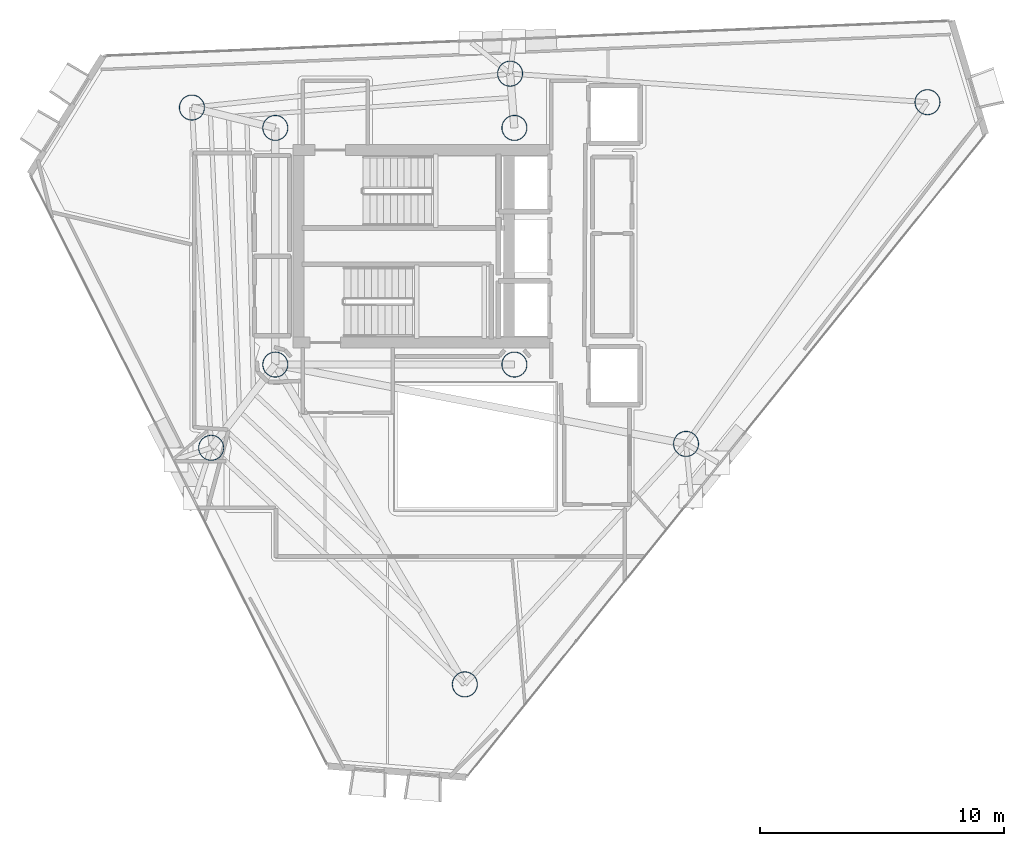
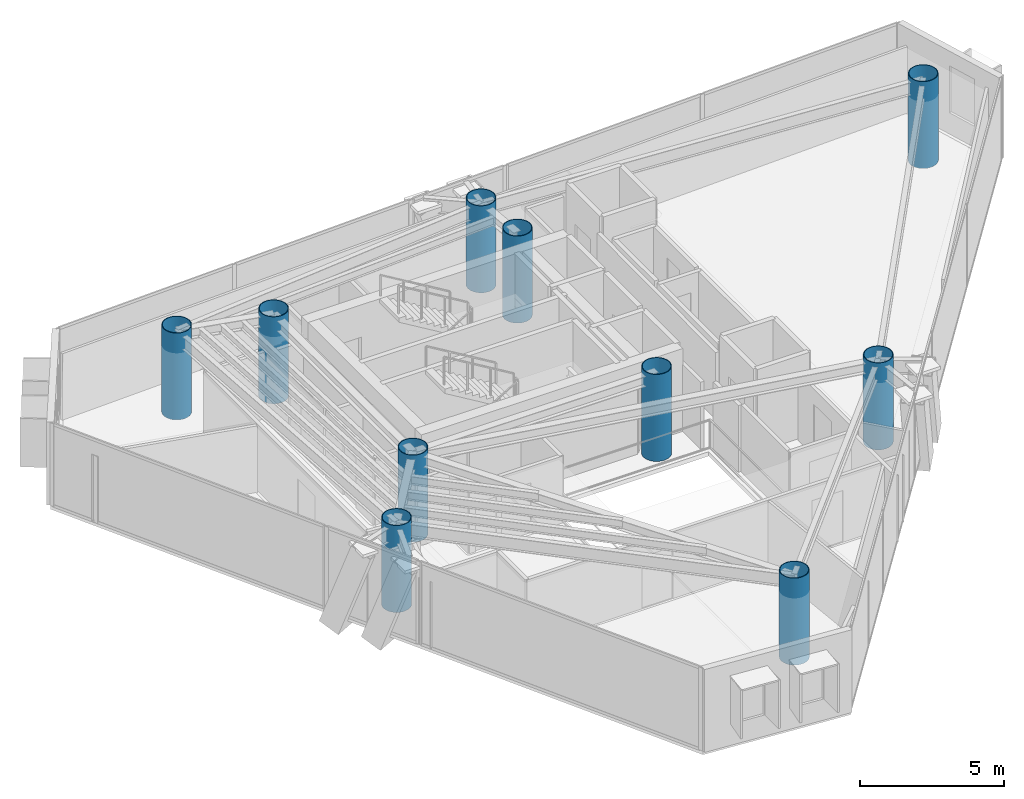
# One storey, part 1 of 19: 10 columns.
"""IFC4 building model written with IfcOpenShell, lengths in metres."""

from ifc_helpers import new_model, si_unit, direction, frame, origin, origin_2d, place, context, subcontext, project, spatial, hollow_circle, extrude, material, material_profile, profile_set, type_object, element, save


model = new_model("IFC4")

# Units and contexts
model_context = context("Model", 3, precision=1e-05, world=origin(), true_north=direction((0.0, 1.0)))
body_context = subcontext(model_context, "Body", "Model", "MODEL_VIEW")
ifc_project = project(units=[si_unit("LENGTHUNIT", "METRE"), si_unit("AREAUNIT", "SQUARE_METRE"), si_unit("VOLUMEUNIT", "CUBIC_METRE"), si_unit("PLANEANGLEUNIT", "RADIAN"), si_unit("MASSUNIT", "GRAM", prefix="KILO")], contexts=[model_context])

# Site, building, storey
site_placement = place(None, origin())
site = spatial("IfcSite", under=ifc_project, at=site_placement, CompositionType="ELEMENT")
building_placement = place(site_placement, origin())
building = spatial("IfcBuilding", under=site, at=building_placement, Name="Qianvela Tower", CompositionType="ELEMENT")
storey_placement = place(building_placement, frame((0.0, 0.0, 261.199951171875)))
storey = spatial("IfcBuildingStorey", under=building, at=storey_placement, Name="L67", CompositionType="ELEMENT", Elevation=261.199951171875)

# Columns
ifc_material = material(Name="Steel Q420GJC", Category="steel")
ifc_material_profile = material_profile(ifc_material, hollow_circle(Radius=0.52490234375, WallThickness=0.028076171875, at=origin_2d()), Name="CFT-1050x28")
ifc_profile_set = profile_set([ifc_material_profile], Name="Steel Q420GJC")
column_type = type_object("IfcColumnType", Name="COL-CFT-1050x28", PredefinedType="COLUMN", material=ifc_profile_set)
for number, where, z_axis, x_axis, name in (
    (1, (28.60009765625, 33.550048828125, 0.0), (0.0, 0.0, 1.0), (1.0, 0.0, 0.0), "L67 Core Corner Mega-Column CC-NW"),
    (2, (28.60009765625, 23.85009765625, 0.0), (0.0, 0.0, 1.0), (1.0, 0.0, 0.0), "L67 Core Corner Mega-Column CC-SW"),
    (3, (38.39990234375, 33.550048828125, 0.0), (0.0, 0.0, 1.0), (1.0, 0.0, 0.0), "L67 Core Corner Mega-Column CC-NE"),
    (4, (38.39990234375, 23.85009765625, 0.0), (0.0, 0.0, 1.0), (1.0, 0.0, 0.0), "L67 Core Corner Mega-Column CC-SE"),
    (5, (55.33203125, 34.60498046875, 0.0), (0.0, 0.0, 1.0), (1.0, 0.0, 0.0), "L67 Zone Z6 CFT Mega-Column C1"),
    (6, (38.22509765625, 35.77294921875, 0.0), (0.0, 0.0, 1.0), (1.0, 0.0, 0.0), "L67 Zone Z6 CFT Mega-Column C2"),
    (7, (25.181884765625, 34.384033203125, 0.0), (0.0, 0.0, 1.0), (1.0, 0.0, 0.0), "L67 Zone Z6 CFT Mega-Column C3"),
    (8, (25.971923828125, 20.43701171875, 0.0), (0.0, 0.0, 1.0), (1.0, 0.0, 0.0), "L67 Zone Z6 CFT Mega-Column C4"),
    (9, (36.368896484375, 10.741943359375, 0.0), (0.0, 0.0, 1.0), (1.0, 0.0, 0.0), "L67 Zone Z6 CFT Mega-Column C5"),
    (10, (45.43603515625, 20.597900390625, 0.0), (0.0, 0.0, 1.0), (1.0, 0.0, 0.0), "L67 Zone Z6 CFT Mega-Column C6"),
):
    element("IfcColumn", number, at=place(storey_placement, frame(where, z_axis=z_axis, x_axis=x_axis)), inside=storey, type_object=column_type, Name=name, PredefinedType="COLUMN", context=body_context, shape_type="SweptSolid", body=[
        extrude(hollow_circle(Radius=0.52490234375, WallThickness=0.028076171875, at=origin_2d()), origin(), (0.0, 0.0, 1.0), 3.699951171875),
    ])

save(model, "model.ifc")
